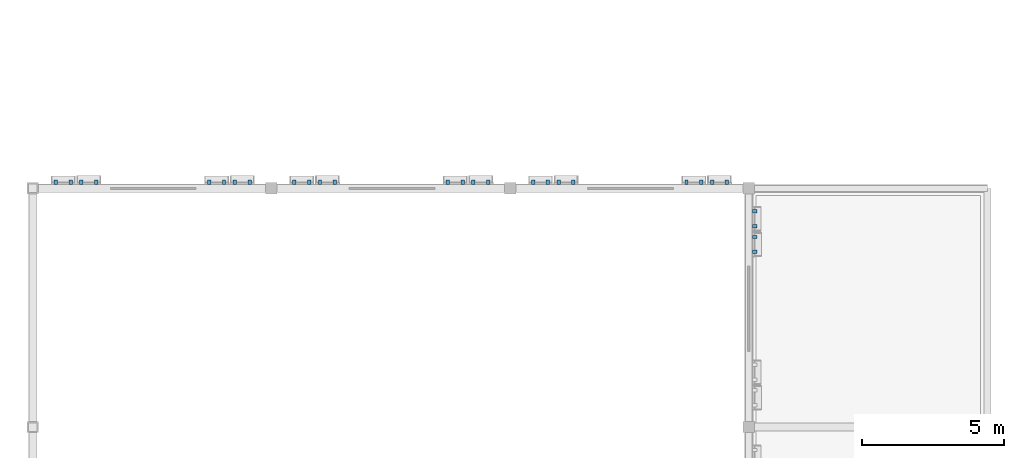
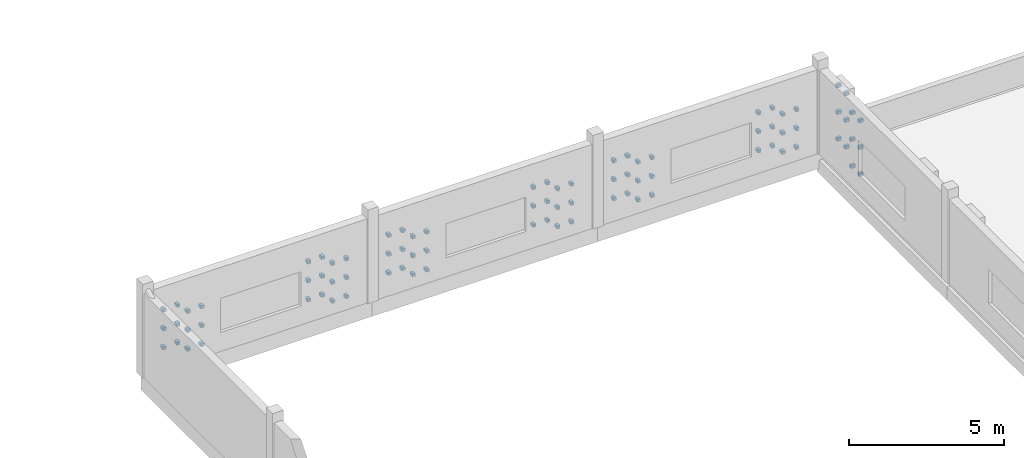
# One storey, part 52 of 57: 84 discrete accessories.
"""IFC4 building model written with IfcOpenShell, lengths in metres."""

from ifc_helpers import new_model, si_unit, direction, frame, origin, origin_2d, place, context, subcontext, project, spatial, rectangle, extrude, material, type_object, element, save


model = new_model("IFC4")

# Units and contexts
model_context = context("Model", 3, precision=1e-05, world=origin(), true_north=direction((0.0, 1.0)))
body_context = subcontext(model_context, "Body", "Model", "MODEL_VIEW")
ifc_project = project(units=[si_unit("LENGTHUNIT", "METRE"), si_unit("AREAUNIT", "SQUARE_METRE"), si_unit("VOLUMEUNIT", "CUBIC_METRE"), si_unit("PLANEANGLEUNIT", "RADIAN"), si_unit("MASSUNIT", "GRAM", prefix="KILO")], contexts=[model_context])

# Site, building, storey
site_placement = place(None, origin())
site = spatial("IfcSite", under=ifc_project, at=site_placement, CompositionType="ELEMENT")
building_placement = place(site_placement, origin())
building = spatial("IfcBuilding", under=site, at=building_placement, Name="Kahlenmark Community Centre", CompositionType="ELEMENT")
storey_placement = place(building_placement, frame((0.0, 0.0, 13.800048828125)))
storey = spatial("IfcBuildingStorey", under=building, at=storey_placement, Name="L03", CompositionType="ELEMENT", Elevation=13.800048828125)

# Discrete accessories
ifc_material = material(Name="Stainless steel 1.4401 rainscreen bracket", Category="steel")
discrete_accessory_type = type_object("IfcDiscreteAccessoryType", Name="DAT-BRACKET-TC", PredefinedType="BRACKET", material=ifc_material)
for number, where, z_axis, x_axis, name in (
    (1, (11.6298828125, 76.2099609375, 0.206298828125), (0.0, 0.0, 1.0), (-1.0, 0.0, 0.0), "Terracotta cassette bracket 4028.1"),
    (2, (11.110107421875, 76.2099609375, 0.206298828125), (0.0, 0.0, 1.0), (-1.0, 0.0, 0.0), "Terracotta cassette bracket 4028.2"),
    (3, (11.6298828125, 76.2099609375, 0.952392578125), (0.0, 0.0, 1.0), (-1.0, 0.0, 0.0), "Terracotta cassette bracket 4030.1"),
    (4, (11.110107421875, 76.2099609375, 0.952392578125), (0.0, 0.0, 1.0), (-1.0, 0.0, 0.0), "Terracotta cassette bracket 4030.2"),
    (5, (11.6298828125, 76.2099609375, 1.698486328125), (0.0, 0.0, 1.0), (-1.0, 0.0, 0.0), "Terracotta cassette bracket 4032.1"),
    (6, (11.110107421875, 76.2099609375, 1.698486328125), (0.0, 0.0, 1.0), (-1.0, 0.0, 0.0), "Terracotta cassette bracket 4032.2"),
    (7, (10.72998046875, 76.2099609375, 0.579345703125), (0.0, 0.0, 1.0), (-1.0, 0.0, 0.0), "Terracotta cassette bracket 4035.1"),
    (8, (10.2099609375, 76.2099609375, 0.579345703125), (0.0, 0.0, 1.0), (-1.0, 0.0, 0.0), "Terracotta cassette bracket 4035.2"),
    (9, (10.72998046875, 76.2099609375, 1.325439453125), (0.0, 0.0, 1.0), (-1.0, 0.0, 0.0), "Terracotta cassette bracket 4037.1"),
    (10, (10.2099609375, 76.2099609375, 1.325439453125), (0.0, 0.0, 1.0), (-1.0, 0.0, 0.0), "Terracotta cassette bracket 4037.2"),
    (11, (10.72998046875, 76.2099609375, 2.0712890625), (0.0, 0.0, 1.0), (-1.0, 0.0, 0.0), "Terracotta cassette bracket 4039.1"),
    (12, (10.2099609375, 76.2099609375, 2.0712890625), (0.0, 0.0, 1.0), (-1.0, 0.0, 0.0), "Terracotta cassette bracket 4039.2"),
    (13, (6.22998046875, 76.2099609375, 0.206298828125), (0.0, 0.0, 1.0), (-1.0, 0.0, 0.0), "Terracotta cassette bracket 4040.1"),
    (14, (5.7099609375, 76.2099609375, 0.206298828125), (0.0, 0.0, 1.0), (-1.0, 0.0, 0.0), "Terracotta cassette bracket 4040.2"),
    (15, (6.22998046875, 76.2099609375, 0.952392578125), (0.0, 0.0, 1.0), (-1.0, 0.0, 0.0), "Terracotta cassette bracket 4042.1"),
    (16, (5.7099609375, 76.2099609375, 0.952392578125), (0.0, 0.0, 1.0), (-1.0, 0.0, 0.0), "Terracotta cassette bracket 4042.2"),
    (17, (6.22998046875, 76.2099609375, 1.698486328125), (0.0, 0.0, 1.0), (-1.0, 0.0, 0.0), "Terracotta cassette bracket 4044.1"),
    (18, (5.7099609375, 76.2099609375, 1.698486328125), (0.0, 0.0, 1.0), (-1.0, 0.0, 0.0), "Terracotta cassette bracket 4044.2"),
    (19, (5.330078125, 76.2099609375, 0.579345703125), (0.0, 0.0, 1.0), (-1.0, 0.0, 0.0), "Terracotta cassette bracket 4047.1"),
    (20, (4.81005859375, 76.2099609375, 0.579345703125), (0.0, 0.0, 1.0), (-1.0, 0.0, 0.0), "Terracotta cassette bracket 4047.2"),
    (21, (5.330078125, 76.2099609375, 1.325439453125), (0.0, 0.0, 1.0), (-1.0, 0.0, 0.0), "Terracotta cassette bracket 4049.1"),
    (22, (4.81005859375, 76.2099609375, 1.325439453125), (0.0, 0.0, 1.0), (-1.0, 0.0, 0.0), "Terracotta cassette bracket 4049.2"),
    (23, (5.330078125, 76.2099609375, 2.0712890625), (0.0, 0.0, 1.0), (-1.0, 0.0, 0.0), "Terracotta cassette bracket 4051.1"),
    (24, (4.81005859375, 76.2099609375, 2.0712890625), (0.0, 0.0, 1.0), (-1.0, 0.0, 0.0), "Terracotta cassette bracket 4051.2"),
    (25, (20.030029296875, 76.2099609375, 0.206298828125), (0.0, 0.0, 1.0), (-1.0, 0.0, 0.0), "Terracotta cassette bracket 4052.1"),
    (26, (19.510009765625, 76.2099609375, 0.206298828125), (0.0, 0.0, 1.0), (-1.0, 0.0, 0.0), "Terracotta cassette bracket 4052.2"),
    (27, (20.030029296875, 76.2099609375, 0.952392578125), (0.0, 0.0, 1.0), (-1.0, 0.0, 0.0), "Terracotta cassette bracket 4054.1"),
    (28, (19.510009765625, 76.2099609375, 0.952392578125), (0.0, 0.0, 1.0), (-1.0, 0.0, 0.0), "Terracotta cassette bracket 4054.2"),
    (29, (20.030029296875, 76.2099609375, 1.698486328125), (0.0, 0.0, 1.0), (-1.0, 0.0, 0.0), "Terracotta cassette bracket 4056.1"),
    (30, (19.510009765625, 76.2099609375, 1.698486328125), (0.0, 0.0, 1.0), (-1.0, 0.0, 0.0), "Terracotta cassette bracket 4056.2"),
    (31, (19.1298828125, 76.2099609375, 0.579345703125), (0.0, 0.0, 1.0), (-1.0, 0.0, 0.0), "Terracotta cassette bracket 4059.1"),
    (32, (18.610107421875, 76.2099609375, 0.579345703125), (0.0, 0.0, 1.0), (-1.0, 0.0, 0.0), "Terracotta cassette bracket 4059.2"),
    (33, (19.1298828125, 76.2099609375, 1.325439453125), (0.0, 0.0, 1.0), (-1.0, 0.0, 0.0), "Terracotta cassette bracket 4061.1"),
    (34, (18.610107421875, 76.2099609375, 1.325439453125), (0.0, 0.0, 1.0), (-1.0, 0.0, 0.0), "Terracotta cassette bracket 4061.2"),
    (35, (19.1298828125, 76.2099609375, 2.0712890625), (0.0, 0.0, 1.0), (-1.0, 0.0, 0.0), "Terracotta cassette bracket 4063.1"),
    (36, (18.610107421875, 76.2099609375, 2.0712890625), (0.0, 0.0, 1.0), (-1.0, 0.0, 0.0), "Terracotta cassette bracket 4063.2"),
    (37, (14.6298828125, 76.2099609375, 0.206298828125), (0.0, 0.0, 1.0), (-1.0, 0.0, 0.0), "Terracotta cassette bracket 4064.1"),
    (38, (14.110107421875, 76.2099609375, 0.206298828125), (0.0, 0.0, 1.0), (-1.0, 0.0, 0.0), "Terracotta cassette bracket 4064.2"),
    (39, (14.6298828125, 76.2099609375, 0.952392578125), (0.0, 0.0, 1.0), (-1.0, 0.0, 0.0), "Terracotta cassette bracket 4066.1"),
    (40, (14.110107421875, 76.2099609375, 0.952392578125), (0.0, 0.0, 1.0), (-1.0, 0.0, 0.0), "Terracotta cassette bracket 4066.2"),
    (41, (14.6298828125, 76.2099609375, 1.698486328125), (0.0, 0.0, 1.0), (-1.0, 0.0, 0.0), "Terracotta cassette bracket 4068.1"),
    (42, (14.110107421875, 76.2099609375, 1.698486328125), (0.0, 0.0, 1.0), (-1.0, 0.0, 0.0), "Terracotta cassette bracket 4068.2"),
    (43, (13.72998046875, 76.2099609375, 0.579345703125), (0.0, 0.0, 1.0), (-1.0, 0.0, 0.0), "Terracotta cassette bracket 4071.1"),
    (44, (13.2099609375, 76.2099609375, 0.579345703125), (0.0, 0.0, 1.0), (-1.0, 0.0, 0.0), "Terracotta cassette bracket 4071.2"),
    (45, (13.72998046875, 76.2099609375, 1.325439453125), (0.0, 0.0, 1.0), (-1.0, 0.0, 0.0), "Terracotta cassette bracket 4073.1"),
    (46, (13.2099609375, 76.2099609375, 1.325439453125), (0.0, 0.0, 1.0), (-1.0, 0.0, 0.0), "Terracotta cassette bracket 4073.2"),
    (47, (13.72998046875, 76.2099609375, 2.0712890625), (0.0, 0.0, 1.0), (-1.0, 0.0, 0.0), "Terracotta cassette bracket 4075.1"),
    (48, (13.2099609375, 76.2099609375, 2.0712890625), (0.0, 0.0, 1.0), (-1.0, 0.0, 0.0), "Terracotta cassette bracket 4075.2"),
    (49, (28.429931640625, 76.2099609375, 0.206298828125), (0.0, 0.0, 1.0), (-1.0, 0.0, 0.0), "Terracotta cassette bracket 4076.1"),
    (50, (27.909912109375, 76.2099609375, 0.206298828125), (0.0, 0.0, 1.0), (-1.0, 0.0, 0.0), "Terracotta cassette bracket 4076.2"),
    (51, (28.429931640625, 76.2099609375, 0.952392578125), (0.0, 0.0, 1.0), (-1.0, 0.0, 0.0), "Terracotta cassette bracket 4078.1"),
    (52, (27.909912109375, 76.2099609375, 0.952392578125), (0.0, 0.0, 1.0), (-1.0, 0.0, 0.0), "Terracotta cassette bracket 4078.2"),
    (53, (28.429931640625, 76.2099609375, 1.698486328125), (0.0, 0.0, 1.0), (-1.0, 0.0, 0.0), "Terracotta cassette bracket 4080.1"),
    (54, (27.909912109375, 76.2099609375, 1.698486328125), (0.0, 0.0, 1.0), (-1.0, 0.0, 0.0), "Terracotta cassette bracket 4080.2"),
    (55, (27.530029296875, 76.2099609375, 0.579345703125), (0.0, 0.0, 1.0), (-1.0, 0.0, 0.0), "Terracotta cassette bracket 4083.1"),
    (56, (27.010009765625, 76.2099609375, 0.579345703125), (0.0, 0.0, 1.0), (-1.0, 0.0, 0.0), "Terracotta cassette bracket 4083.2"),
    (57, (27.530029296875, 76.2099609375, 1.325439453125), (0.0, 0.0, 1.0), (-1.0, 0.0, 0.0), "Terracotta cassette bracket 4085.1"),
    (58, (27.010009765625, 76.2099609375, 1.325439453125), (0.0, 0.0, 1.0), (-1.0, 0.0, 0.0), "Terracotta cassette bracket 4085.2"),
    (59, (27.530029296875, 76.2099609375, 2.0712890625), (0.0, 0.0, 1.0), (-1.0, 0.0, 0.0), "Terracotta cassette bracket 4087.1"),
    (60, (27.010009765625, 76.2099609375, 2.0712890625), (0.0, 0.0, 1.0), (-1.0, 0.0, 0.0), "Terracotta cassette bracket 4087.2"),
    (61, (23.030029296875, 76.2099609375, 0.206298828125), (0.0, 0.0, 1.0), (-1.0, 0.0, 0.0), "Terracotta cassette bracket 4088.1"),
    (62, (22.510009765625, 76.2099609375, 0.206298828125), (0.0, 0.0, 1.0), (-1.0, 0.0, 0.0), "Terracotta cassette bracket 4088.2"),
    (63, (23.030029296875, 76.2099609375, 0.952392578125), (0.0, 0.0, 1.0), (-1.0, 0.0, 0.0), "Terracotta cassette bracket 4090.1"),
    (64, (22.510009765625, 76.2099609375, 0.952392578125), (0.0, 0.0, 1.0), (-1.0, 0.0, 0.0), "Terracotta cassette bracket 4090.2"),
    (65, (23.030029296875, 76.2099609375, 1.698486328125), (0.0, 0.0, 1.0), (-1.0, 0.0, 0.0), "Terracotta cassette bracket 4092.1"),
    (66, (22.510009765625, 76.2099609375, 1.698486328125), (0.0, 0.0, 1.0), (-1.0, 0.0, 0.0), "Terracotta cassette bracket 4092.2"),
    (67, (22.1298828125, 76.2099609375, 0.579345703125), (0.0, 0.0, 1.0), (-1.0, 0.0, 0.0), "Terracotta cassette bracket 4095.1"),
    (68, (21.610107421875, 76.2099609375, 0.579345703125), (0.0, 0.0, 1.0), (-1.0, 0.0, 0.0), "Terracotta cassette bracket 4095.2"),
    (69, (22.1298828125, 76.2099609375, 1.325439453125), (0.0, 0.0, 1.0), (-1.0, 0.0, 0.0), "Terracotta cassette bracket 4097.1"),
    (70, (21.610107421875, 76.2099609375, 1.325439453125), (0.0, 0.0, 1.0), (-1.0, 0.0, 0.0), "Terracotta cassette bracket 4097.2"),
    (71, (22.1298828125, 76.2099609375, 2.0712890625), (0.0, 0.0, 1.0), (-1.0, 0.0, 0.0), "Terracotta cassette bracket 4099.1"),
    (72, (21.610107421875, 76.2099609375, 2.0712890625), (0.0, 0.0, 1.0), (-1.0, 0.0, 0.0), "Terracotta cassette bracket 4099.2"),
    (73, (29.409912109375, 73.77001953125, 0.283447265625), (0.0, 0.0, 1.0), (0.0, 1.0, 0.0), "Terracotta cassette bracket 4184.1"),
    (74, (29.409912109375, 74.2900390625, 0.283447265625), (0.0, 0.0, 1.0), (0.0, 1.0, 0.0), "Terracotta cassette bracket 4184.2"),
    (75, (29.409912109375, 73.77001953125, 1.33740234375), (0.0, 0.0, 1.0), (0.0, 1.0, 0.0), "Terracotta cassette bracket 4186.1"),
    (76, (29.409912109375, 74.2900390625, 1.33740234375), (0.0, 0.0, 1.0), (0.0, 1.0, 0.0), "Terracotta cassette bracket 4186.2"),
    (77, (29.409912109375, 73.77001953125, 2.391357421875), (0.0, 0.0, 1.0), (0.0, 1.0, 0.0), "Terracotta cassette bracket 4188.1"),
    (78, (29.409912109375, 74.2900390625, 2.391357421875), (0.0, 0.0, 1.0), (0.0, 1.0, 0.0), "Terracotta cassette bracket 4188.2"),
    (79, (29.409912109375, 74.669921875, 0.810302734375), (0.0, 0.0, 1.0), (0.0, 1.0, 0.0), "Terracotta cassette bracket 4191.1"),
    (80, (29.409912109375, 75.18994140625, 0.810302734375), (0.0, 0.0, 1.0), (0.0, 1.0, 0.0), "Terracotta cassette bracket 4191.2"),
    (81, (29.409912109375, 74.669921875, 1.864501953125), (0.0, 0.0, 1.0), (0.0, 1.0, 0.0), "Terracotta cassette bracket 4193.1"),
    (82, (29.409912109375, 75.18994140625, 1.864501953125), (0.0, 0.0, 1.0), (0.0, 1.0, 0.0), "Terracotta cassette bracket 4193.2"),
    (83, (29.409912109375, 74.669921875, 2.91845703125), (0.0, 0.0, 1.0), (0.0, 1.0, 0.0), "Terracotta cassette bracket 4195.1"),
    (84, (29.409912109375, 75.18994140625, 2.91845703125), (0.0, 0.0, 1.0), (0.0, 1.0, 0.0), "Terracotta cassette bracket 4195.2"),
):
    element("IfcDiscreteAccessory", number, at=place(storey_placement, frame(where, z_axis=z_axis, x_axis=x_axis)), inside=storey, type_object=discrete_accessory_type, Name=name, PredefinedType="BRACKET", context=body_context, shape_type="SweptSolid", body=[
        extrude(rectangle(XDim=0.1201171875, YDim=0.159912109375, at=origin_2d()), origin(), (0.0, 0.0, 1.0), 0.1201171875),
    ])

save(model, "model.ifc")
